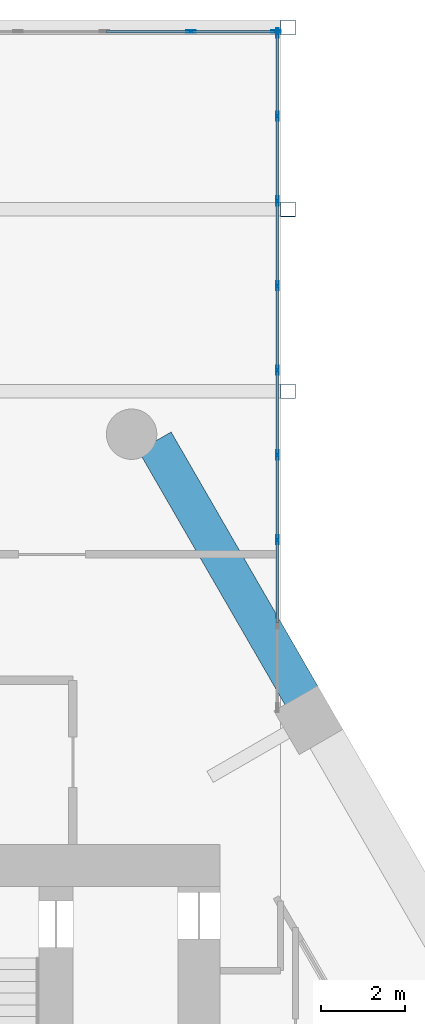
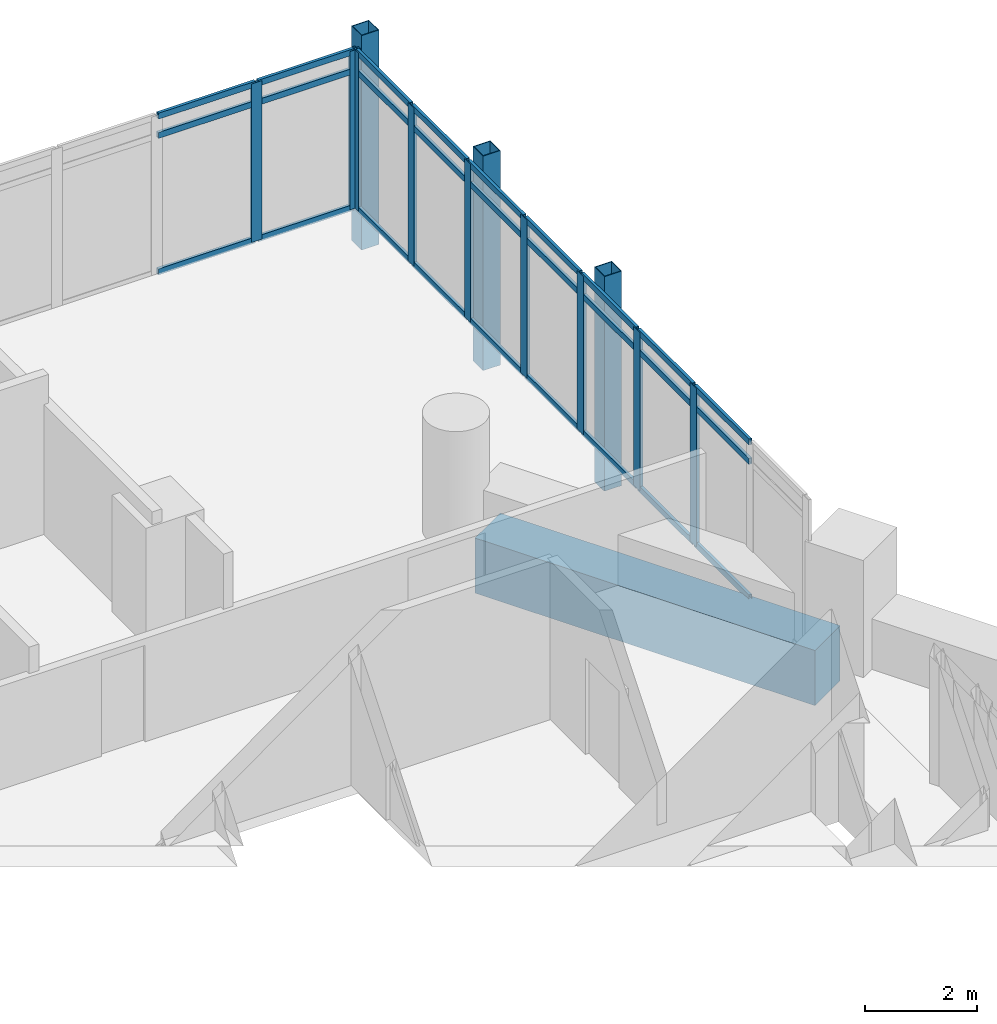
# One storey, part 19 of 28: 39 members, 1 beam, 2 elements without a shape of their own.
"""IFC4 building model written with IfcOpenShell, lengths in metres."""

from ifc_helpers import new_model, si_unit, direction, frame, origin, origin_2d, place, context, subcontext, project, spatial, rectangle, hollow_rectangle, extrude, material, material_profile, profile_set, type_object, element, aggregate, save


model = new_model("IFC4")

# Units and contexts
model_context = context("Model", 3, precision=1e-05, world=origin(), true_north=direction((0.0, 1.0)))
body_context = subcontext(model_context, "Body", "Model", "MODEL_VIEW")
ifc_project = project(units=[si_unit("LENGTHUNIT", "METRE"), si_unit("AREAUNIT", "SQUARE_METRE"), si_unit("VOLUMEUNIT", "CUBIC_METRE"), si_unit("PLANEANGLEUNIT", "RADIAN"), si_unit("MASSUNIT", "GRAM", prefix="KILO")], contexts=[model_context])

# Site, building, storey
site_placement = place(None, origin())
site = spatial("IfcSite", under=ifc_project, at=site_placement, CompositionType="ELEMENT")
building_placement = place(site_placement, origin())
building = spatial("IfcBuilding", under=site, at=building_placement, Name="Ostrander Bayou Hotel Tower", CompositionType="ELEMENT")
storey_placement = place(building_placement, frame((0.0, 0.0, 142.25)))
storey = spatial("IfcBuildingStorey", under=building, at=storey_placement, Name="L35", CompositionType="ELEMENT", Elevation=142.25)

# Curtain wall, members
ifc_material_1 = material(Name="Aluminium and clear glass", Category="aluminium")
curtain_wall_type = type_object("IfcCurtainWallType", Name="CW-BAR glazed wall", PredefinedType="NOTDEFINED", material=ifc_material_1)
curtain_wall_1_placement = place(storey_placement, origin())
curtain_wall_1 = element("IfcCurtainWall", 1, at=curtain_wall_1_placement, inside=storey, type_object=curtain_wall_type, Name="CW-BAR L35:SB3N:T", PredefinedType="NOTDEFINED")
ifc_material_2 = material(Name="Aluminium", Category="aluminium")
ifc_material_profile_1 = material_profile(ifc_material_2, hollow_rectangle(XDim=0.06005859375, YDim=0.219970703125, WallThickness=0.00390625, at=origin_2d()))
ifc_profile_set_1 = profile_set([ifc_material_profile_1], Name="Aluminium")
member_type_1 = type_object("IfcMemberType", Name="CW-BR mullion 60 x 220 mm", PredefinedType="MULLION", material=ifc_profile_set_1)
member_1_placement = place(storey_placement, frame((11.310791015625, 29.037109375, 0.0), z_axis=(0.0, 0.0, 1.0), x_axis=(0.0, 1.0, 0.0)))
member_1 = element("IfcMember", 2, at=member_1_placement, type_object=member_type_1, Name="CW-BAR mullion 13", PredefinedType="MULLION", context=body_context, shape_type="SweptSolid", body=[
    extrude(hollow_rectangle(XDim=0.06005859375, YDim=0.219970703125, WallThickness=0.00390625, at=origin_2d()), origin(), (0.0, 0.0, 1.0), 3.449951171875),
])
member_2_placement = place(storey_placement, frame((13.337158203125, 29.037109375, 0.0), z_axis=(0.0, 0.0, 1.0), x_axis=(0.0, 1.0, 0.0)))
member_2 = element("IfcMember", 3, at=member_2_placement, type_object=member_type_1, Name="CW-BAR mullion 14", PredefinedType="MULLION", context=body_context, shape_type="SweptSolid", body=[
    extrude(hollow_rectangle(XDim=0.06005859375, YDim=0.219970703125, WallThickness=0.00390625, at=origin_2d()), origin(), (0.0, 0.0, 1.0), 3.449951171875),
])

curtain_wall_2_placement = place(storey_placement, origin())
curtain_wall_2 = element("IfcCurtainWall", 4, at=curtain_wall_2_placement, inside=storey, type_object=curtain_wall_type, Name="CW-BAR L35:SB3N:W", PredefinedType="NOTDEFINED")
member_3_placement = place(storey_placement, frame((13.3671875, 16.950439453125, 0.0), z_axis=(0.0, 0.0, 1.0), x_axis=(-1.0, 0.0, 0.0)))
member_3 = element("IfcMember", 5, at=member_3_placement, type_object=member_type_1, Name="CW-BAR mullion 3", PredefinedType="MULLION", context=body_context, shape_type="SweptSolid", body=[
    extrude(hollow_rectangle(XDim=0.06005859375, YDim=0.219970703125, WallThickness=0.00390625, at=origin_2d()), origin(), (0.0, 0.0, 1.0), 3.449951171875),
])
member_4_placement = place(storey_placement, frame((13.3671875, 18.96484375, 0.0), z_axis=(0.0, 0.0, 1.0), x_axis=(-1.0, 0.0, 0.0)))
member_4 = element("IfcMember", 6, at=member_4_placement, type_object=member_type_1, Name="CW-BAR mullion 4", PredefinedType="MULLION", context=body_context, shape_type="SweptSolid", body=[
    extrude(hollow_rectangle(XDim=0.06005859375, YDim=0.219970703125, WallThickness=0.00390625, at=origin_2d()), origin(), (0.0, 0.0, 1.0), 3.449951171875),
])
member_5_placement = place(storey_placement, frame((13.3671875, 20.979248046875, 0.0), z_axis=(0.0, 0.0, 1.0), x_axis=(-1.0, 0.0, 0.0)))
member_5 = element("IfcMember", 7, at=member_5_placement, type_object=member_type_1, Name="CW-BAR mullion 5", PredefinedType="MULLION", context=body_context, shape_type="SweptSolid", body=[
    extrude(hollow_rectangle(XDim=0.06005859375, YDim=0.219970703125, WallThickness=0.00390625, at=origin_2d()), origin(), (0.0, 0.0, 1.0), 3.449951171875),
])
member_6_placement = place(storey_placement, frame((13.3671875, 22.99365234375, 0.0), z_axis=(0.0, 0.0, 1.0), x_axis=(-1.0, 0.0, 0.0)))
member_6 = element("IfcMember", 8, at=member_6_placement, type_object=member_type_1, Name="CW-BAR mullion 6", PredefinedType="MULLION", context=body_context, shape_type="SweptSolid", body=[
    extrude(hollow_rectangle(XDim=0.06005859375, YDim=0.219970703125, WallThickness=0.00390625, at=origin_2d()), origin(), (0.0, 0.0, 1.0), 3.449951171875),
])
member_7_placement = place(storey_placement, frame((13.3671875, 25.00830078125, 0.0), z_axis=(0.0, 0.0, 1.0), x_axis=(-1.0, 0.0, 0.0)))
member_7 = element("IfcMember", 9, at=member_7_placement, type_object=member_type_1, Name="CW-BAR mullion 7", PredefinedType="MULLION", context=body_context, shape_type="SweptSolid", body=[
    extrude(hollow_rectangle(XDim=0.06005859375, YDim=0.219970703125, WallThickness=0.00390625, at=origin_2d()), origin(), (0.0, 0.0, 1.0), 3.449951171875),
])
member_8_placement = place(storey_placement, frame((13.3671875, 27.022705078125, 0.0), z_axis=(0.0, 0.0, 1.0), x_axis=(-1.0, 0.0, 0.0)))
member_8 = element("IfcMember", 10, at=member_8_placement, type_object=member_type_1, Name="CW-BAR mullion 8", PredefinedType="MULLION", context=body_context, shape_type="SweptSolid", body=[
    extrude(hollow_rectangle(XDim=0.06005859375, YDim=0.219970703125, WallThickness=0.00390625, at=origin_2d()), origin(), (0.0, 0.0, 1.0), 3.449951171875),
])
member_9_placement = place(storey_placement, frame((13.3671875, 29.007080078125, 0.0), z_axis=(0.0, 0.0, 1.0), x_axis=(-1.0, 0.0, 0.0)))
member_9 = element("IfcMember", 11, at=member_9_placement, type_object=member_type_1, Name="CW-BAR mullion 9", PredefinedType="MULLION", context=body_context, shape_type="SweptSolid", body=[
    extrude(hollow_rectangle(XDim=0.06005859375, YDim=0.219970703125, WallThickness=0.00390625, at=origin_2d()), origin(), (0.0, 0.0, 1.0), 3.449951171875),
])

# Member
ifc_material_3 = material(Name="Aluminium", Category="aluminium")
ifc_material_profile_2 = material_profile(ifc_material_3, hollow_rectangle(XDim=0.06005859375, YDim=0.1298828125, WallThickness=0.00390625, at=origin_2d()))
ifc_profile_set_2 = profile_set([ifc_material_profile_2], Name="Aluminium")
member_type_2 = type_object("IfcMemberType", Name="CW-BR transom 60 x 130 mm", PredefinedType="USERDEFINED", material=ifc_profile_set_2)
member_10_placement = place(storey_placement, frame((9.2841796875, 29.037109375, 0.030029296875), z_axis=(1.0, 0.0, 0.0), x_axis=(0.0, 1.0, 0.0)))
member_10 = element("IfcMember", 12, at=member_10_placement, type_object=member_type_2, Name="CW-BAR transom 12.1", ObjectType="TRANSOM", PredefinedType="USERDEFINED", context=body_context, shape_type="SweptSolid", body=[
    extrude(hollow_rectangle(XDim=0.06005859375, YDim=0.1298828125, WallThickness=0.00390625, at=origin_2d()), origin(), (0.0, 0.0, 1.0), 1.99658203125),
])

member_11_placement = place(storey_placement, frame((9.2841796875, 29.037109375, 3.0), z_axis=(1.0, 0.0, 0.0), x_axis=(0.0, 1.0, 0.0)))
member_11 = element("IfcMember", 13, at=member_11_placement, type_object=member_type_2, Name="CW-BAR transom 12.2", ObjectType="TRANSOM", PredefinedType="USERDEFINED", context=body_context, shape_type="SweptSolid", body=[
    extrude(hollow_rectangle(XDim=0.06005859375, YDim=0.1298828125, WallThickness=0.00390625, at=origin_2d()), origin(), (0.0, 0.0, 1.0), 1.99658203125),
])

member_12_placement = place(storey_placement, frame((9.2841796875, 29.037109375, 3.419921875), z_axis=(1.0, 0.0, 0.0), x_axis=(0.0, 1.0, 0.0)))
member_12 = element("IfcMember", 14, at=member_12_placement, type_object=member_type_2, Name="CW-BAR transom 12.3", ObjectType="TRANSOM", PredefinedType="USERDEFINED", context=body_context, shape_type="SweptSolid", body=[
    extrude(hollow_rectangle(XDim=0.06005859375, YDim=0.1298828125, WallThickness=0.00390625, at=origin_2d()), origin(), (0.0, 0.0, 1.0), 1.99658203125),
])

member_13_placement = place(storey_placement, frame((11.3408203125, 29.037109375, 0.030029296875), z_axis=(1.0, 0.0, 0.0), x_axis=(0.0, 1.0, 0.0)))
member_13 = element("IfcMember", 15, at=member_13_placement, type_object=member_type_2, Name="CW-BAR transom 13.1", ObjectType="TRANSOM", PredefinedType="USERDEFINED", context=body_context, shape_type="SweptSolid", body=[
    extrude(hollow_rectangle(XDim=0.06005859375, YDim=0.1298828125, WallThickness=0.00390625, at=origin_2d()), origin(), (0.0, 0.0, 1.0), 1.96630859375),
])

member_14_placement = place(storey_placement, frame((11.3408203125, 29.037109375, 3.0), z_axis=(1.0, 0.0, 0.0), x_axis=(0.0, 1.0, 0.0)))
member_14 = element("IfcMember", 16, at=member_14_placement, type_object=member_type_2, Name="CW-BAR transom 13.2", ObjectType="TRANSOM", PredefinedType="USERDEFINED", context=body_context, shape_type="SweptSolid", body=[
    extrude(hollow_rectangle(XDim=0.06005859375, YDim=0.1298828125, WallThickness=0.00390625, at=origin_2d()), origin(), (0.0, 0.0, 1.0), 1.96630859375),
])

member_15_placement = place(storey_placement, frame((11.3408203125, 29.037109375, 3.419921875), z_axis=(1.0, 0.0, 0.0), x_axis=(0.0, 1.0, 0.0)))
member_15 = element("IfcMember", 17, at=member_15_placement, type_object=member_type_2, Name="CW-BAR transom 13.3", ObjectType="TRANSOM", PredefinedType="USERDEFINED", context=body_context, shape_type="SweptSolid", body=[
    extrude(hollow_rectangle(XDim=0.06005859375, YDim=0.1298828125, WallThickness=0.00390625, at=origin_2d()), origin(), (0.0, 0.0, 1.0), 1.96630859375),
])

aggregate(curtain_wall_1, [member_1, member_2, member_10, member_11, member_12, member_13, member_14, member_15])

member_16_placement = place(storey_placement, frame((13.3671875, 14.966064453125, 0.030029296875), z_axis=(0.0, 1.0, 0.0), x_axis=(-1.0, 0.0, 0.0)))
member_16 = element("IfcMember", 18, at=member_16_placement, type_object=member_type_2, Name="CW-BAR transom 2.1", ObjectType="TRANSOM", PredefinedType="USERDEFINED", context=body_context, shape_type="SweptSolid", body=[
    extrude(hollow_rectangle(XDim=0.06005859375, YDim=0.1298828125, WallThickness=0.00390625, at=origin_2d()), origin(), (0.0, 0.0, 1.0), 1.954345703125),
])

member_17_placement = place(storey_placement, frame((13.3671875, 14.966064453125, 3.0), z_axis=(0.0, 1.0, 0.0), x_axis=(-1.0, 0.0, 0.0)))
member_17 = element("IfcMember", 19, at=member_17_placement, type_object=member_type_2, Name="CW-BAR transom 2.2", ObjectType="TRANSOM", PredefinedType="USERDEFINED", context=body_context, shape_type="SweptSolid", body=[
    extrude(hollow_rectangle(XDim=0.06005859375, YDim=0.1298828125, WallThickness=0.00390625, at=origin_2d()), origin(), (0.0, 0.0, 1.0), 1.954345703125),
])

member_18_placement = place(storey_placement, frame((13.3671875, 14.966064453125, 3.419921875), z_axis=(0.0, 1.0, 0.0), x_axis=(-1.0, 0.0, 0.0)))
member_18 = element("IfcMember", 20, at=member_18_placement, type_object=member_type_2, Name="CW-BAR transom 2.3", ObjectType="TRANSOM", PredefinedType="USERDEFINED", context=body_context, shape_type="SweptSolid", body=[
    extrude(hollow_rectangle(XDim=0.06005859375, YDim=0.1298828125, WallThickness=0.00390625, at=origin_2d()), origin(), (0.0, 0.0, 1.0), 1.954345703125),
])

member_19_placement = place(storey_placement, frame((13.3671875, 16.98046875, 0.030029296875), z_axis=(0.0, 1.0, 0.0), x_axis=(-1.0, 0.0, 0.0)))
member_19 = element("IfcMember", 21, at=member_19_placement, type_object=member_type_2, Name="CW-BAR transom 3.1", ObjectType="TRANSOM", PredefinedType="USERDEFINED", context=body_context, shape_type="SweptSolid", body=[
    extrude(hollow_rectangle(XDim=0.06005859375, YDim=0.1298828125, WallThickness=0.00390625, at=origin_2d()), origin(), (0.0, 0.0, 1.0), 1.954345703125),
])

member_20_placement = place(storey_placement, frame((13.3671875, 16.98046875, 3.0), z_axis=(0.0, 1.0, 0.0), x_axis=(-1.0, 0.0, 0.0)))
member_20 = element("IfcMember", 22, at=member_20_placement, type_object=member_type_2, Name="CW-BAR transom 3.2", ObjectType="TRANSOM", PredefinedType="USERDEFINED", context=body_context, shape_type="SweptSolid", body=[
    extrude(hollow_rectangle(XDim=0.06005859375, YDim=0.1298828125, WallThickness=0.00390625, at=origin_2d()), origin(), (0.0, 0.0, 1.0), 1.954345703125),
])

member_21_placement = place(storey_placement, frame((13.3671875, 16.98046875, 3.419921875), z_axis=(0.0, 1.0, 0.0), x_axis=(-1.0, 0.0, 0.0)))
member_21 = element("IfcMember", 23, at=member_21_placement, type_object=member_type_2, Name="CW-BAR transom 3.3", ObjectType="TRANSOM", PredefinedType="USERDEFINED", context=body_context, shape_type="SweptSolid", body=[
    extrude(hollow_rectangle(XDim=0.06005859375, YDim=0.1298828125, WallThickness=0.00390625, at=origin_2d()), origin(), (0.0, 0.0, 1.0), 1.954345703125),
])

member_22_placement = place(storey_placement, frame((13.3671875, 18.994873046875, 0.030029296875), z_axis=(0.0, 1.0, 0.0), x_axis=(-1.0, 0.0, 0.0)))
member_22 = element("IfcMember", 24, at=member_22_placement, type_object=member_type_2, Name="CW-BAR transom 4.1", ObjectType="TRANSOM", PredefinedType="USERDEFINED", context=body_context, shape_type="SweptSolid", body=[
    extrude(hollow_rectangle(XDim=0.06005859375, YDim=0.1298828125, WallThickness=0.00390625, at=origin_2d()), origin(), (0.0, 0.0, 1.0), 1.954345703125),
])

member_23_placement = place(storey_placement, frame((13.3671875, 18.994873046875, 3.0), z_axis=(0.0, 1.0, 0.0), x_axis=(-1.0, 0.0, 0.0)))
member_23 = element("IfcMember", 25, at=member_23_placement, type_object=member_type_2, Name="CW-BAR transom 4.2", ObjectType="TRANSOM", PredefinedType="USERDEFINED", context=body_context, shape_type="SweptSolid", body=[
    extrude(hollow_rectangle(XDim=0.06005859375, YDim=0.1298828125, WallThickness=0.00390625, at=origin_2d()), origin(), (0.0, 0.0, 1.0), 1.954345703125),
])

member_24_placement = place(storey_placement, frame((13.3671875, 18.994873046875, 3.419921875), z_axis=(0.0, 1.0, 0.0), x_axis=(-1.0, 0.0, 0.0)))
member_24 = element("IfcMember", 26, at=member_24_placement, type_object=member_type_2, Name="CW-BAR transom 4.3", ObjectType="TRANSOM", PredefinedType="USERDEFINED", context=body_context, shape_type="SweptSolid", body=[
    extrude(hollow_rectangle(XDim=0.06005859375, YDim=0.1298828125, WallThickness=0.00390625, at=origin_2d()), origin(), (0.0, 0.0, 1.0), 1.954345703125),
])

member_25_placement = place(storey_placement, frame((13.3671875, 21.00927734375, 0.030029296875), z_axis=(0.0, 1.0, 0.0), x_axis=(-1.0, 0.0, 0.0)))
member_25 = element("IfcMember", 27, at=member_25_placement, type_object=member_type_2, Name="CW-BAR transom 5.1", ObjectType="TRANSOM", PredefinedType="USERDEFINED", context=body_context, shape_type="SweptSolid", body=[
    extrude(hollow_rectangle(XDim=0.06005859375, YDim=0.1298828125, WallThickness=0.00390625, at=origin_2d()), origin(), (0.0, 0.0, 1.0), 1.95458984375),
])

member_26_placement = place(storey_placement, frame((13.3671875, 21.00927734375, 3.0), z_axis=(0.0, 1.0, 0.0), x_axis=(-1.0, 0.0, 0.0)))
member_26 = element("IfcMember", 28, at=member_26_placement, type_object=member_type_2, Name="CW-BAR transom 5.2", ObjectType="TRANSOM", PredefinedType="USERDEFINED", context=body_context, shape_type="SweptSolid", body=[
    extrude(hollow_rectangle(XDim=0.06005859375, YDim=0.1298828125, WallThickness=0.00390625, at=origin_2d()), origin(), (0.0, 0.0, 1.0), 1.95458984375),
])

member_27_placement = place(storey_placement, frame((13.3671875, 21.00927734375, 3.419921875), z_axis=(0.0, 1.0, 0.0), x_axis=(-1.0, 0.0, 0.0)))
member_27 = element("IfcMember", 29, at=member_27_placement, type_object=member_type_2, Name="CW-BAR transom 5.3", ObjectType="TRANSOM", PredefinedType="USERDEFINED", context=body_context, shape_type="SweptSolid", body=[
    extrude(hollow_rectangle(XDim=0.06005859375, YDim=0.1298828125, WallThickness=0.00390625, at=origin_2d()), origin(), (0.0, 0.0, 1.0), 1.95458984375),
])

member_28_placement = place(storey_placement, frame((13.3671875, 23.023681640625, 0.030029296875), z_axis=(0.0, 1.0, 0.0), x_axis=(-1.0, 0.0, 0.0)))
member_28 = element("IfcMember", 30, at=member_28_placement, type_object=member_type_2, Name="CW-BAR transom 6.1", ObjectType="TRANSOM", PredefinedType="USERDEFINED", context=body_context, shape_type="SweptSolid", body=[
    extrude(hollow_rectangle(XDim=0.06005859375, YDim=0.1298828125, WallThickness=0.00390625, at=origin_2d()), origin(), (0.0, 0.0, 1.0), 1.95458984375),
])

member_29_placement = place(storey_placement, frame((13.3671875, 23.023681640625, 3.0), z_axis=(0.0, 1.0, 0.0), x_axis=(-1.0, 0.0, 0.0)))
member_29 = element("IfcMember", 31, at=member_29_placement, type_object=member_type_2, Name="CW-BAR transom 6.2", ObjectType="TRANSOM", PredefinedType="USERDEFINED", context=body_context, shape_type="SweptSolid", body=[
    extrude(hollow_rectangle(XDim=0.06005859375, YDim=0.1298828125, WallThickness=0.00390625, at=origin_2d()), origin(), (0.0, 0.0, 1.0), 1.95458984375),
])

member_30_placement = place(storey_placement, frame((13.3671875, 23.023681640625, 3.419921875), z_axis=(0.0, 1.0, 0.0), x_axis=(-1.0, 0.0, 0.0)))
member_30 = element("IfcMember", 32, at=member_30_placement, type_object=member_type_2, Name="CW-BAR transom 6.3", ObjectType="TRANSOM", PredefinedType="USERDEFINED", context=body_context, shape_type="SweptSolid", body=[
    extrude(hollow_rectangle(XDim=0.06005859375, YDim=0.1298828125, WallThickness=0.00390625, at=origin_2d()), origin(), (0.0, 0.0, 1.0), 1.95458984375),
])

member_31_placement = place(storey_placement, frame((13.3671875, 25.0380859375, 0.030029296875), z_axis=(0.0, 1.0, 0.0), x_axis=(-1.0, 0.0, 0.0)))
member_31 = element("IfcMember", 33, at=member_31_placement, type_object=member_type_2, Name="CW-BAR transom 7.1", ObjectType="TRANSOM", PredefinedType="USERDEFINED", context=body_context, shape_type="SweptSolid", body=[
    extrude(hollow_rectangle(XDim=0.06005859375, YDim=0.1298828125, WallThickness=0.00390625, at=origin_2d()), origin(), (0.0, 0.0, 1.0), 1.95458984375),
])

member_32_placement = place(storey_placement, frame((13.3671875, 25.0380859375, 3.0), z_axis=(0.0, 1.0, 0.0), x_axis=(-1.0, 0.0, 0.0)))
member_32 = element("IfcMember", 34, at=member_32_placement, type_object=member_type_2, Name="CW-BAR transom 7.2", ObjectType="TRANSOM", PredefinedType="USERDEFINED", context=body_context, shape_type="SweptSolid", body=[
    extrude(hollow_rectangle(XDim=0.06005859375, YDim=0.1298828125, WallThickness=0.00390625, at=origin_2d()), origin(), (0.0, 0.0, 1.0), 1.95458984375),
])

member_33_placement = place(storey_placement, frame((13.3671875, 25.0380859375, 3.419921875), z_axis=(0.0, 1.0, 0.0), x_axis=(-1.0, 0.0, 0.0)))
member_33 = element("IfcMember", 35, at=member_33_placement, type_object=member_type_2, Name="CW-BAR transom 7.3", ObjectType="TRANSOM", PredefinedType="USERDEFINED", context=body_context, shape_type="SweptSolid", body=[
    extrude(hollow_rectangle(XDim=0.06005859375, YDim=0.1298828125, WallThickness=0.00390625, at=origin_2d()), origin(), (0.0, 0.0, 1.0), 1.95458984375),
])

member_34_placement = place(storey_placement, frame((13.3671875, 27.052734375, 0.030029296875), z_axis=(0.0, 1.0, 0.0), x_axis=(-1.0, 0.0, 0.0)))
member_34 = element("IfcMember", 36, at=member_34_placement, type_object=member_type_2, Name="CW-BAR transom 8.1", ObjectType="TRANSOM", PredefinedType="USERDEFINED", context=body_context, shape_type="SweptSolid", body=[
    extrude(hollow_rectangle(XDim=0.06005859375, YDim=0.1298828125, WallThickness=0.00390625, at=origin_2d()), origin(), (0.0, 0.0, 1.0), 1.92431640625),
])

member_35_placement = place(storey_placement, frame((13.3671875, 27.052734375, 3.0), z_axis=(0.0, 1.0, 0.0), x_axis=(-1.0, 0.0, 0.0)))
member_35 = element("IfcMember", 37, at=member_35_placement, type_object=member_type_2, Name="CW-BAR transom 8.2", ObjectType="TRANSOM", PredefinedType="USERDEFINED", context=body_context, shape_type="SweptSolid", body=[
    extrude(hollow_rectangle(XDim=0.06005859375, YDim=0.1298828125, WallThickness=0.00390625, at=origin_2d()), origin(), (0.0, 0.0, 1.0), 1.92431640625),
])

member_36_placement = place(storey_placement, frame((13.3671875, 27.052734375, 3.419921875), z_axis=(0.0, 1.0, 0.0), x_axis=(-1.0, 0.0, 0.0)))
member_36 = element("IfcMember", 38, at=member_36_placement, type_object=member_type_2, Name="CW-BAR transom 8.3", ObjectType="TRANSOM", PredefinedType="USERDEFINED", context=body_context, shape_type="SweptSolid", body=[
    extrude(hollow_rectangle(XDim=0.06005859375, YDim=0.1298828125, WallThickness=0.00390625, at=origin_2d()), origin(), (0.0, 0.0, 1.0), 1.92431640625),
])

aggregate(curtain_wall_2, [member_3, member_4, member_5, member_6, member_7, member_8, member_9, member_16, member_17, member_18, member_19, member_20, member_21, member_22, member_23, member_24, member_25, member_26, member_27, member_28, member_29, member_30, member_31, member_32, member_33, member_34, member_35, member_36])

# Beam
ifc_material_4 = material(Name="Concrete f'c 70 MPa", Category="concrete")
ifc_material_profile_3 = material_profile(ifc_material_4, rectangle(XDim=0.89990234375, YDim=1.199951171875, at=origin_2d()))
ifc_profile_set_3 = profile_set([ifc_material_profile_3], Name="Concrete f'c 70 MPa")
beam_type = type_object("IfcBeamType", Name="SP2 spandrel beam 900 x 1200 mm f'c 70 MPa", PredefinedType="SPANDREL", material=ifc_profile_set_3)
beam_placement = place(storey_placement, frame((13.95068359375, 13.2236328125, -0.60009765625), z_axis=(-0.499991127072, 0.866030526511, 0.0), x_axis=(-0.866030526511, -0.499991127072, 0.0)))
element("IfcBeam", 39, at=beam_placement, inside=storey, type_object=beam_type, Name="SP2 L35 NE-3", PredefinedType="SPANDREL", context=body_context, shape_type="SweptSolid", body=[
    extrude(rectangle(XDim=0.89990234375, YDim=1.199951171875, at=origin_2d()), origin(), (0.0, 0.0, 1.0), 7.000732421875),
])

# Members
ifc_material_5 = material(Name="Steel ASTM A500 Gr C", Category="steel")
ifc_material_profile_4 = material_profile(ifc_material_5, hollow_rectangle(XDim=0.355712890625, YDim=0.355712890625, WallThickness=0.0146484375, at=origin_2d()))
ifc_profile_set_4 = profile_set([ifc_material_profile_4], Name="Steel ASTM A500 Gr C")
member_type_3 = type_object("IfcMemberType", Name="TH1 bar hanger HSS14x14x5/8", PredefinedType="POST", material=ifc_profile_set_4)
for number, where, z_axis, x_axis, name in (
    (40, (13.6201171875, 29.13720703125, -0.921875), (0.0, 0.0, 1.0), (1.0, 0.0, 0.0), "TH1 SB3WB H1-4"),
    (41, (13.6201171875, 24.809326171875, -0.921875), (0.0, 0.0, 1.0), (1.0, 0.0, 0.0), "TH1 SB3WB H2-4"),
    (42, (13.6201171875, 20.481689453125, -0.921875), (0.0, 0.0, 1.0), (1.0, 0.0, 0.0), "TH1 SB3WB H3-4"),
):
    element("IfcMember", number, at=place(storey_placement, frame(where, z_axis=z_axis, x_axis=x_axis)), inside=storey, type_object=member_type_3, Name=name, PredefinedType="POST", context=body_context, shape_type="SweptSolid", body=[
        extrude(hollow_rectangle(XDim=0.355712890625, YDim=0.355712890625, WallThickness=0.0146484375, at=origin_2d()), origin(), (0.0, 0.0, 1.0), 4.671875),
    ])

save(model, "model.ifc")
